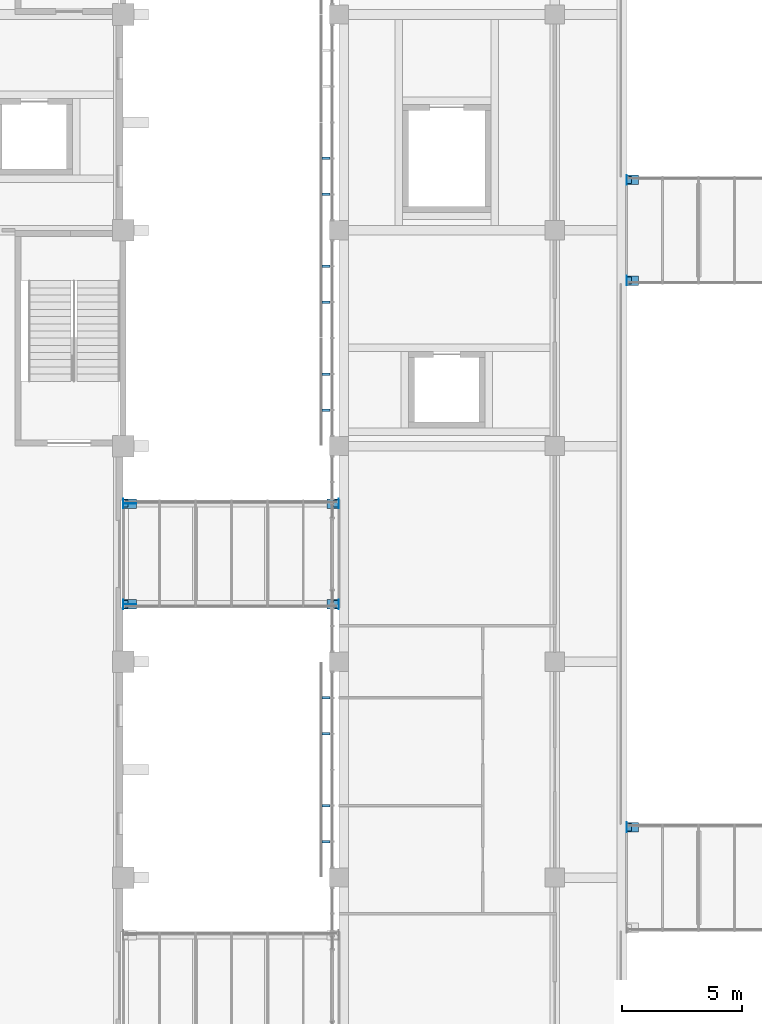
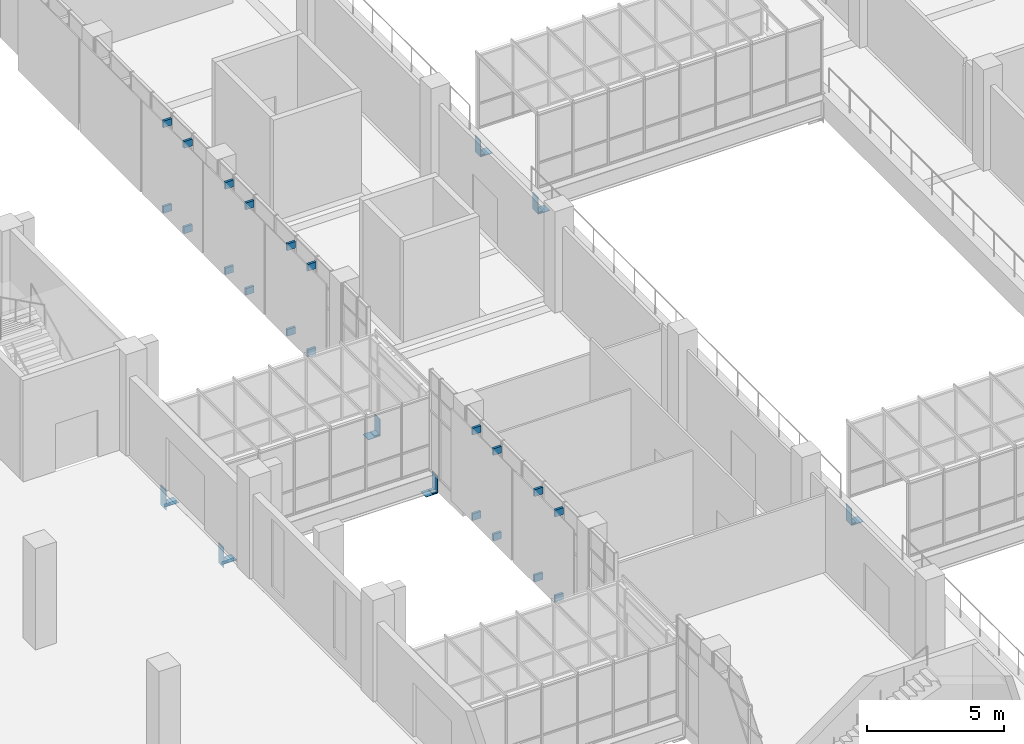
# One storey, part 75 of 88: 43 discrete accessories.
"""IFC4 building model written with IfcOpenShell, lengths in metres."""

from ifc_helpers import new_model, si_unit, direction, frame, origin, origin_2d, place, context, subcontext, project, spatial, rectangle, extrude, material, layer, layer_set, type_object, element, save


model = new_model("IFC4")

# Units and contexts
model_context = context("Model", 3, precision=1e-05, world=origin(), true_north=direction((0.0, 1.0)))
body_context = subcontext(model_context, "Body", "Model", "MODEL_VIEW")
ifc_project = project(units=[si_unit("LENGTHUNIT", "METRE"), si_unit("AREAUNIT", "SQUARE_METRE"), si_unit("VOLUMEUNIT", "CUBIC_METRE"), si_unit("PLANEANGLEUNIT", "RADIAN"), si_unit("MASSUNIT", "GRAM", prefix="KILO")], contexts=[model_context])

# Site, building, storey
site_placement = place(None, origin())
site = spatial("IfcSite", under=ifc_project, at=site_placement, CompositionType="ELEMENT")
building_placement = place(site_placement, origin())
building = spatial("IfcBuilding", under=site, at=building_placement, Name="Guidao Yard Department Store", CompositionType="ELEMENT")
storey_placement = place(building_placement, frame((0.0, 0.0, 6.0)))
storey = spatial("IfcBuildingStorey", under=building, at=storey_placement, Name="L01", CompositionType="ELEMENT", Elevation=6.0)

# Discrete accessories
ifc_material_1 = material(Name="Steel Q355B", Category="steel")
discrete_accessory_type_1 = type_object("IfcDiscreteAccessoryType", Name="Bracket BR2 steel plate", PredefinedType="BRACKET", material=ifc_material_1)
for number, where, z_axis, x_axis, name in (
    (1, (71.465087890625, 64.5, 0.2001953125), (0.0, 0.0, 1.0), (0.0, 1.0, 0.0), "Screen bracket"),
    (2, (71.465087890625, 64.5, 4.0), (0.0, 0.0, 1.0), (0.0, 1.0, 0.0), "Screen bracket"),
    (3, (71.465087890625, 66.0, 0.2001953125), (0.0, 0.0, 1.0), (0.0, 1.0, 0.0), "Screen bracket"),
    (4, (71.465087890625, 66.0, 4.0), (0.0, 0.0, 1.0), (0.0, 1.0, 0.0), "Screen bracket"),
    (5, (71.465087890625, 69.0, 0.2001953125), (0.0, 0.0, 1.0), (0.0, 1.0, 0.0), "Screen bracket"),
    (6, (71.465087890625, 69.0, 4.0), (0.0, 0.0, 1.0), (0.0, 1.0, 0.0), "Screen bracket"),
    (7, (71.465087890625, 70.5, 0.2001953125), (0.0, 0.0, 1.0), (0.0, 1.0, 0.0), "Screen bracket"),
    (8, (71.465087890625, 70.5, 4.0), (0.0, 0.0, 1.0), (0.0, 1.0, 0.0), "Screen bracket"),
    (9, (71.465087890625, 82.5, 0.2001953125), (0.0, 0.0, 1.0), (0.0, 1.0, 0.0), "Screen bracket"),
    (10, (71.465087890625, 82.5, 4.0), (0.0, 0.0, 1.0), (0.0, 1.0, 0.0), "Screen bracket"),
    (11, (71.465087890625, 84.0, 0.2001953125), (0.0, 0.0, 1.0), (0.0, 1.0, 0.0), "Screen bracket"),
    (12, (71.465087890625, 84.0, 4.0), (0.0, 0.0, 1.0), (0.0, 1.0, 0.0), "Screen bracket"),
    (13, (71.465087890625, 87.0, 0.2001953125), (0.0, 0.0, 1.0), (0.0, 1.0, 0.0), "Screen bracket"),
    (14, (71.465087890625, 87.0, 4.0), (0.0, 0.0, 1.0), (0.0, 1.0, 0.0), "Screen bracket"),
    (15, (71.465087890625, 88.5, 0.2001953125), (0.0, 0.0, 1.0), (0.0, 1.0, 0.0), "Screen bracket"),
    (16, (71.465087890625, 88.5, 4.0), (0.0, 0.0, 1.0), (0.0, 1.0, 0.0), "Screen bracket"),
    (17, (71.465087890625, 91.5, 0.2001953125), (0.0, 0.0, 1.0), (0.0, 1.0, 0.0), "Screen bracket"),
    (18, (71.465087890625, 91.5, 4.0), (0.0, 0.0, 1.0), (0.0, 1.0, 0.0), "Screen bracket"),
    (19, (71.465087890625, 93.0, 0.2001953125), (0.0, 0.0, 1.0), (0.0, 1.0, 0.0), "Screen bracket"),
    (20, (71.465087890625, 93.0, 4.0), (0.0, 0.0, 1.0), (0.0, 1.0, 0.0), "Screen bracket"),
):
    element("IfcDiscreteAccessory", number, at=place(storey_placement, frame(where, z_axis=z_axis, x_axis=x_axis)), inside=storey, type_object=discrete_accessory_type_1, Name=name, PredefinedType="BRACKET", context=body_context, shape_type="SweptSolid", body=[
        extrude(rectangle(XDim=0.10009765625, YDim=0.35009765625, at=origin_2d()), origin(), (0.0, 0.0, 1.0), 0.300048828125),
    ])
ifc_material_2 = material(Name="Steel Q355B", Category="steel")
ifc_layer_1 = layer(ifc_material_2, 0.014892578125)
ifc_layer_set_1 = layer_set([ifc_layer_1], Name="Bridge girder back plate SB1 steel")
discrete_accessory_type_2 = type_object("IfcDiscreteAccessoryType", Name="Bridge girder back plate SB1 steel", PredefinedType="BRACKET", material=ifc_layer_set_1)
discrete_accessory_1_placement = place(storey_placement, frame((63.007568359375, 74.39990234375, -1.259765625), z_axis=(0.0, 0.0, 1.0), x_axis=(1.0, 0.0, 0.0)))
element("IfcDiscreteAccessory", 21, at=discrete_accessory_1_placement, inside=storey, type_object=discrete_accessory_type_2, Name="Bridge girder back plate BR02S S", PredefinedType="BRACKET", context=body_context, shape_type="SweptSolid", body=[
    extrude(rectangle(XDim=0.014892578125, YDim=0.39990234375, at=origin_2d()), origin(), (0.0, 0.0, 1.0), 0.909912109375),
])
discrete_accessory_2_placement = place(storey_placement, frame((71.992431640625, 74.39990234375, -1.10986328125), z_axis=(0.0, 0.0, 1.0), x_axis=(1.0, 0.0, 0.0)))
element("IfcDiscreteAccessory", 22, at=discrete_accessory_2_placement, inside=storey, type_object=discrete_accessory_type_2, Name="Bridge girder back plate BR02S F", PredefinedType="BRACKET", context=body_context, shape_type="SweptSolid", body=[
    extrude(rectangle(XDim=0.014892578125, YDim=0.39990234375, at=origin_2d()), origin(), (0.0, 0.0, 1.0), 0.760009765625),
])
discrete_accessory_3_placement = place(storey_placement, frame((63.007568359375, 78.60009765625, -1.259765625), z_axis=(0.0, 0.0, 1.0), x_axis=(1.0, 0.0, 0.0)))
element("IfcDiscreteAccessory", 23, at=discrete_accessory_3_placement, inside=storey, type_object=discrete_accessory_type_2, Name="Bridge girder back plate BR02N S", PredefinedType="BRACKET", context=body_context, shape_type="SweptSolid", body=[
    extrude(rectangle(XDim=0.014892578125, YDim=0.39990234375, at=origin_2d()), origin(), (0.0, 0.0, 1.0), 0.909912109375),
])
for number, where, z_axis, x_axis, name in (
    (24, (71.992431640625, 78.60009765625, -1.10986328125), (0.0, 0.0, 1.0), (1.0, 0.0, 0.0), "Bridge girder back plate BR02N F"),
    (25, (84.007568359375, 65.10009765625, -1.10986328125), (0.0, 0.0, 1.0), (1.0, 0.0, 0.0), "Bridge girder back plate BR09N F"),
    (26, (84.007568359375, 87.89990234375, -1.10986328125), (0.0, 0.0, 1.0), (1.0, 0.0, 0.0), "Bridge girder back plate BR10S F"),
    (27, (84.007568359375, 92.10009765625, -1.10986328125), (0.0, 0.0, 1.0), (1.0, 0.0, 0.0), "Bridge girder back plate BR10N F"),
):
    element("IfcDiscreteAccessory", number, at=place(storey_placement, frame(where, z_axis=z_axis, x_axis=x_axis)), inside=storey, type_object=discrete_accessory_type_2, Name=name, PredefinedType="BRACKET", context=body_context, shape_type="SweptSolid", body=[
        extrude(rectangle(XDim=0.014892578125, YDim=0.39990234375, at=origin_2d()), origin(), (0.0, 0.0, 1.0), 0.760009765625),
    ])
ifc_material_3 = material(Name="Steel Q355B", Category="steel")
ifc_layer_2 = layer(ifc_material_3, 0.0400390625)
ifc_layer_set_2 = layer_set([ifc_layer_2], Name="Bridge girder pinned bearing BP1 steel")
discrete_accessory_type_3 = type_object("IfcDiscreteAccessoryType", Name="Bridge girder pinned bearing BP1 steel", PredefinedType="SHOE", material=ifc_layer_set_2)
for number, where, z_axis, x_axis, name in (
    (28, (71.885009765625, 74.39990234375, -1.090087890625), (0.0, 0.0, 1.0), (1.0, 0.0, 0.0), "Bridge girder pinned bearing BR02S"),
    (29, (71.885009765625, 78.60009765625, -1.090087890625), (0.0, 0.0, 1.0), (1.0, 0.0, 0.0), "Bridge girder pinned bearing BR02N"),
    (30, (84.114990234375, 65.10009765625, -1.090087890625), (0.0, 0.0, 1.0), (1.0, 0.0, 0.0), "Bridge girder pinned bearing BR09N"),
    (31, (84.114990234375, 87.89990234375, -1.090087890625), (0.0, 0.0, 1.0), (1.0, 0.0, 0.0), "Bridge girder pinned bearing BR10S"),
    (32, (84.114990234375, 92.10009765625, -1.090087890625), (0.0, 0.0, 1.0), (1.0, 0.0, 0.0), "Bridge girder pinned bearing BR10N"),
):
    element("IfcDiscreteAccessory", number, at=place(storey_placement, frame(where, z_axis=z_axis, x_axis=x_axis)), inside=storey, type_object=discrete_accessory_type_3, Name=name, PredefinedType="SHOE", context=body_context, shape_type="SweptSolid", body=[
        extrude(rectangle(XDim=0.199951171875, YDim=0.300048828125, at=origin_2d()), origin(), (0.0, 0.0, 1.0), 0.0400390625),
    ])
ifc_material_4 = material(Name="Steel Q355B", Category="steel")
ifc_layer_3 = layer(ifc_material_4, 0.02001953125)
ifc_layer_set_3 = layer_set([ifc_layer_3], Name="Bridge girder seat plate SP1 steel 500")
discrete_accessory_type_4 = type_object("IfcDiscreteAccessoryType", Name="Bridge girder seat plate SP1 steel 500", PredefinedType="BRACKET", material=ifc_layer_set_3)
for number, where, z_axis, x_axis, name in (
    (33, (71.742431640625, 74.39990234375, -1.110107421875), (0.0, 0.0, 1.0), (1.0, 0.0, 0.0), "Bridge girder seat plate BR02S F"),
    (34, (71.742431640625, 78.60009765625, -1.110107421875), (0.0, 0.0, 1.0), (1.0, 0.0, 0.0), "Bridge girder seat plate BR02N F"),
    (35, (84.257568359375, 65.10009765625, -1.110107421875), (0.0, 0.0, 1.0), (1.0, 0.0, 0.0), "Bridge girder seat plate BR09N F"),
    (36, (84.257568359375, 87.89990234375, -1.110107421875), (0.0, 0.0, 1.0), (1.0, 0.0, 0.0), "Bridge girder seat plate BR10S F"),
    (37, (84.257568359375, 92.10009765625, -1.110107421875), (0.0, 0.0, 1.0), (1.0, 0.0, 0.0), "Bridge girder seat plate BR10N F"),
):
    element("IfcDiscreteAccessory", number, at=place(storey_placement, frame(where, z_axis=z_axis, x_axis=x_axis)), inside=storey, type_object=discrete_accessory_type_4, Name=name, PredefinedType="BRACKET", context=body_context, shape_type="SweptSolid", body=[
        extrude(rectangle(XDim=0.485107421875, YDim=0.39990234375, at=origin_2d()), origin(), (0.0, 0.0, 1.0), 0.02001953125),
    ])
ifc_material_5 = material(Name="Steel Q355B", Category="steel")
ifc_layer_4 = layer(ifc_material_5, 0.02001953125)
ifc_layer_set_4 = layer_set([ifc_layer_4], Name="Bridge girder seat plate SP1 steel 550")
discrete_accessory_type_5 = type_object("IfcDiscreteAccessoryType", Name="Bridge girder seat plate SP1 steel 550", PredefinedType="BRACKET", material=ifc_layer_set_4)
for number, where, z_axis, x_axis, name in (
    (38, (63.282470703125, 74.39990234375, -1.110107421875), (0.0, 0.0, 1.0), (1.0, 0.0, 0.0), "Bridge girder seat plate BR02S S"),
    (39, (63.282470703125, 78.60009765625, -1.110107421875), (0.0, 0.0, 1.0), (1.0, 0.0, 0.0), "Bridge girder seat plate BR02N S"),
):
    element("IfcDiscreteAccessory", number, at=place(storey_placement, frame(where, z_axis=z_axis, x_axis=x_axis)), inside=storey, type_object=discrete_accessory_type_5, Name=name, PredefinedType="BRACKET", context=body_context, shape_type="SweptSolid", body=[
        extrude(rectangle(XDim=0.534912109375, YDim=0.39990234375, at=origin_2d()), origin(), (0.0, 0.0, 1.0), 0.02001953125),
    ])
ifc_material_6 = material(Name="Steel Q355B", Category="steel")
ifc_layer_5 = layer(ifc_material_6, 0.01611328125)
ifc_layer_set_5 = layer_set([ifc_layer_5], Name="Bridge girder seat rib SR1 steel 16")
discrete_accessory_type_6 = type_object("IfcDiscreteAccessoryType", Name="Bridge girder seat rib SR1 steel 16", PredefinedType="BRACKET", material=ifc_layer_set_5)
for number, where, z_axis, x_axis, name in (
    (40, (63.2900390625, 74.39990234375, -1.260009765625), (0.0, 0.0, 1.0), (1.0, 0.0, 0.0), "Bridge girder seat rib BR02S S"),
    (41, (63.2900390625, 78.60009765625, -1.260009765625), (0.0, 0.0, 1.0), (1.0, 0.0, 0.0), "Bridge girder seat rib BR02N S"),
):
    element("IfcDiscreteAccessory", number, at=place(storey_placement, frame(where, z_axis=z_axis, x_axis=x_axis)), inside=storey, type_object=discrete_accessory_type_6, Name=name, PredefinedType="BRACKET", context=body_context, shape_type="SweptSolid", body=[
        extrude(rectangle(XDim=0.52001953125, YDim=0.01611328125, at=origin_2d()), origin(), (0.0, 0.0, 1.0), 0.14990234375),
    ])
ifc_material_7 = material(Name="Steel Q355B", Category="steel")
ifc_layer_6 = layer(ifc_material_7, 0.0400390625)
ifc_layer_set_6 = layer_set([ifc_layer_6], Name="Bridge girder sliding bearing BS1 PTFE on steel")
discrete_accessory_type_7 = type_object("IfcDiscreteAccessoryType", Name="Bridge girder sliding bearing BS1 PTFE on steel", PredefinedType="SHOE", material=ifc_layer_set_6)
for number, where, z_axis, x_axis, name in (
    (42, (63.114990234375, 74.39990234375, -1.090087890625), (0.0, 0.0, 1.0), (1.0, 0.0, 0.0), "Bridge girder sliding bearing BR02S"),
    (43, (63.114990234375, 78.60009765625, -1.090087890625), (0.0, 0.0, 1.0), (1.0, 0.0, 0.0), "Bridge girder sliding bearing BR02N"),
):
    element("IfcDiscreteAccessory", number, at=place(storey_placement, frame(where, z_axis=z_axis, x_axis=x_axis)), inside=storey, type_object=discrete_accessory_type_7, Name=name, PredefinedType="SHOE", context=body_context, shape_type="SweptSolid", body=[
        extrude(rectangle(XDim=0.199951171875, YDim=0.300048828125, at=origin_2d()), origin(), (0.0, 0.0, 1.0), 0.0400390625),
    ])

save(model, "model.ifc")
